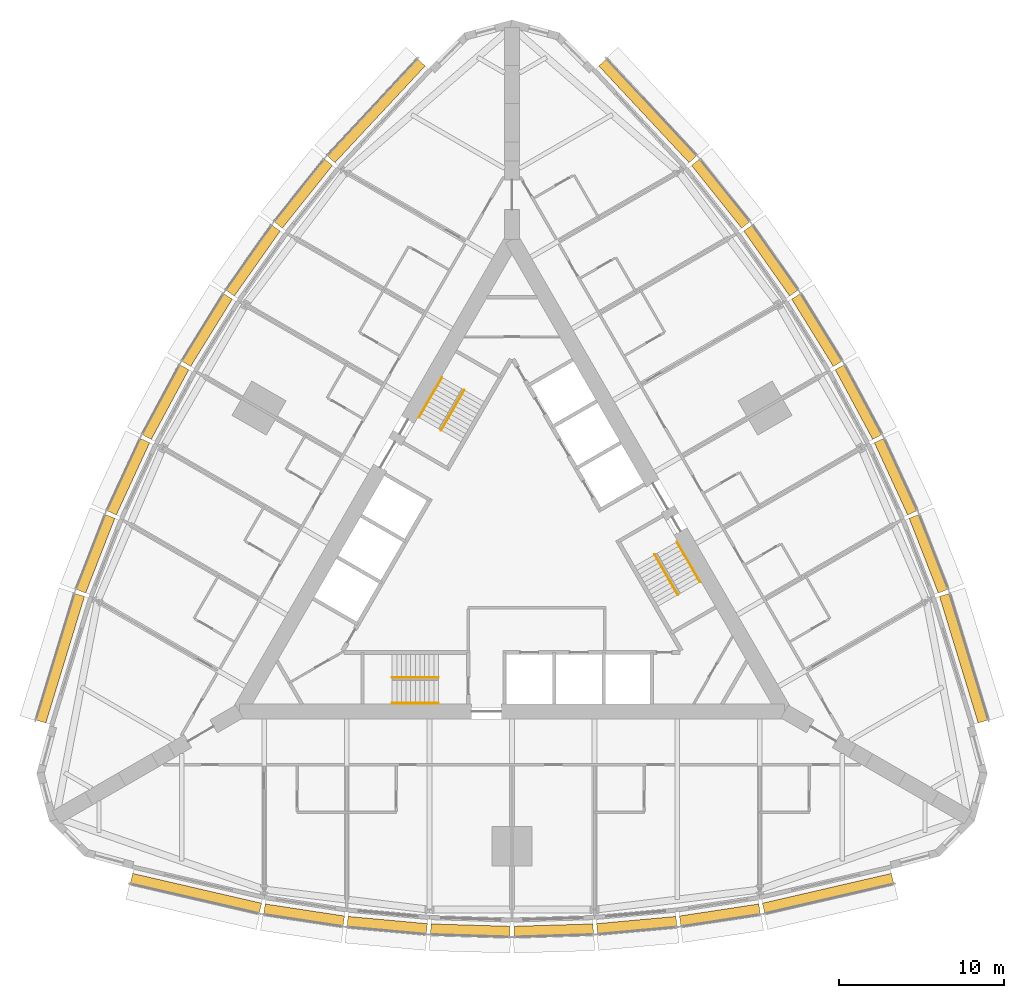
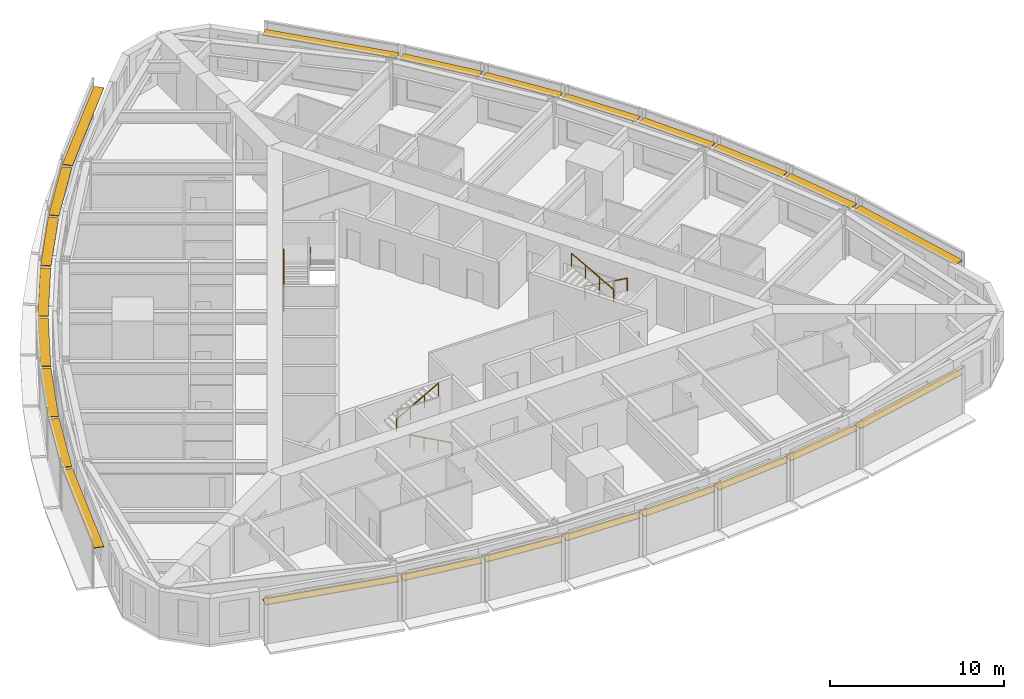
# One storey, part 14 of 14: 24 shading devices, 6 railings.
"""IFC4 building model written with IfcOpenShell, lengths in metres."""

from ifc_helpers import new_model, si_unit, direction, frame, origin, origin_2d, place, context, subcontext, project, spatial, rectangle, circle, extrude, material, type_object, element, save


model = new_model("IFC4")

# Units and contexts
model_context = context("Model", 3, precision=1e-05, world=origin(), true_north=direction((0.0, 1.0)))
body_context = subcontext(model_context, "Body", "Model", "MODEL_VIEW")
ifc_project = project(units=[si_unit("LENGTHUNIT", "METRE"), si_unit("AREAUNIT", "SQUARE_METRE"), si_unit("VOLUMEUNIT", "CUBIC_METRE"), si_unit("PLANEANGLEUNIT", "RADIAN"), si_unit("MASSUNIT", "GRAM", prefix="KILO")], contexts=[model_context])

# Site, building, storey
site_placement = place(None, origin())
site = spatial("IfcSite", under=ifc_project, at=site_placement, CompositionType="ELEMENT")
building_placement = place(site_placement, origin())
building = spatial("IfcBuilding", under=site, at=building_placement, Name="Trikona Tower", CompositionType="ELEMENT")
storey_placement = place(building_placement, frame((0.0, 0.0, 52.300048828125)))
storey = spatial("IfcBuildingStorey", under=building, at=storey_placement, Name="L12", CompositionType="ELEMENT", Elevation=52.300048828125)

# Shading devices
ifc_material_1 = material(Name="Aluminium louvre blade, pale anodised", Category="aluminium")
shading_device_type = type_object("IfcShadingDeviceType", Name="Cavity louvre 600", PredefinedType="USERDEFINED", material=ifc_material_1)
shading_device_1_placement = place(storey_placement, frame((-19.126220703125, -20.5234375, 2.77490234375), z_axis=(0.0, 0.0, 1.0), x_axis=(0.974277718622, -0.225350675607, 0.0)))
element("IfcShadingDevice", 1, at=shading_device_1_placement, inside=storey, type_object=shading_device_type, Name="Cavity louvre L12-00", ObjectType="LOUVRE", PredefinedType="USERDEFINED", context=body_context, shape_type="SweptSolid", body=[
    extrude(rectangle(XDim=8.01123046875, YDim=0.60009765625, at=origin_2d()), origin(), (0.0, 0.0, 1.0), 0.050048828125),
])
shading_device_2_placement = place(storey_placement, frame((-12.584228515625, -21.837158203125, 2.77490234375), z_axis=(0.0, 0.0, 1.0), x_axis=(0.988617896768, -0.150448177754, 0.0)))
element("IfcShadingDevice", 2, at=shading_device_2_placement, inside=storey, type_object=shading_device_type, Name="Cavity louvre L12-01", ObjectType="LOUVRE", PredefinedType="USERDEFINED", context=body_context, shape_type="SweptSolid", body=[
    extrude(rectangle(XDim=4.857666015625, YDim=0.60009765625, at=origin_2d()), origin(), (0.0, 0.0, 1.0), 0.050048828125),
])
shading_device_3_placement = place(storey_placement, frame((-7.55078125, -22.44970703125, 2.77490234375), z_axis=(0.0, 0.0, 1.0), x_axis=(0.995858098326, -0.090921108655, 0.0)))
element("IfcShadingDevice", 3, at=shading_device_3_placement, inside=storey, type_object=shading_device_type, Name="Cavity louvre L12-02", ObjectType="LOUVRE", PredefinedType="USERDEFINED", context=body_context, shape_type="SweptSolid", body=[
    extrude(rectangle(XDim=4.82080078125, YDim=0.60009765625, at=origin_2d()), origin(), (0.0, 0.0, 1.0), 0.050048828125),
])
for number, where, z_axis, x_axis, name in (
    (4, (-2.51708984375, -22.756103515625, 2.77490234375), (0.0, 0.0, 1.0), (0.999537048889, -0.030425119525, 0.0), "Cavity louvre L12-03"),
    (5, (2.51708984375, -22.756103515625, 2.77490234375), (0.0, 0.0, 1.0), (0.999537048889, 0.030425119525, 0.0), "Cavity louvre L12-04"),
):
    element("IfcShadingDevice", number, at=place(storey_placement, frame(where, z_axis=z_axis, x_axis=x_axis)), inside=storey, type_object=shading_device_type, Name=name, ObjectType="LOUVRE", PredefinedType="USERDEFINED", context=body_context, shape_type="SweptSolid", body=[
        extrude(rectangle(XDim=4.80224609375, YDim=0.60009765625, at=origin_2d()), origin(), (0.0, 0.0, 1.0), 0.050048828125),
    ])
shading_device_4_placement = place(storey_placement, frame((7.55078125, -22.44970703125, 2.77490234375), z_axis=(0.0, 0.0, 1.0), x_axis=(0.995858098326, 0.090921108655, 0.0)))
element("IfcShadingDevice", 6, at=shading_device_4_placement, inside=storey, type_object=shading_device_type, Name="Cavity louvre L12-05", ObjectType="LOUVRE", PredefinedType="USERDEFINED", context=body_context, shape_type="SweptSolid", body=[
    extrude(rectangle(XDim=4.82080078125, YDim=0.60009765625, at=origin_2d()), origin(), (0.0, 0.0, 1.0), 0.050048828125),
])
shading_device_5_placement = place(storey_placement, frame((12.584228515625, -21.837158203125, 2.77490234375), z_axis=(0.0, 0.0, 1.0), x_axis=(0.988617896768, 0.150448177754, 0.0)))
element("IfcShadingDevice", 7, at=shading_device_5_placement, inside=storey, type_object=shading_device_type, Name="Cavity louvre L12-06", ObjectType="LOUVRE", PredefinedType="USERDEFINED", context=body_context, shape_type="SweptSolid", body=[
    extrude(rectangle(XDim=4.857666015625, YDim=0.60009765625, at=origin_2d()), origin(), (0.0, 0.0, 1.0), 0.050048828125),
])
for number, where, z_axis, x_axis, name in (
    (8, (19.126220703125, -20.5234375, 2.77490234375), (0.0, 0.0, 1.0), (0.974277718622, 0.225350675607, 0.0), "Cavity louvre L12-07"),
    (9, (27.3369140625, -6.302001953125, 2.77490234375), (0.0, 0.0, 1.0), (-0.291979449475, 0.956424592471, 0.0), "Cavity louvre L12-12"),
):
    element("IfcShadingDevice", number, at=place(storey_placement, frame(where, z_axis=z_axis, x_axis=x_axis)), inside=storey, type_object=shading_device_type, Name=name, ObjectType="LOUVRE", PredefinedType="USERDEFINED", context=body_context, shape_type="SweptSolid", body=[
        extrude(rectangle(XDim=8.01123046875, YDim=0.60009765625, at=origin_2d()), origin(), (0.0, 0.0, 1.0), 0.050048828125),
    ])
shading_device_6_placement = place(storey_placement, frame((25.20361328125, 0.020263671875, 2.77490234375), z_axis=(0.0, 0.0, 1.0), x_axis=(-0.364008876551, 0.931395478726, 0.0)))
element("IfcShadingDevice", 10, at=shading_device_6_placement, inside=storey, type_object=shading_device_type, Name="Cavity louvre L12-13", ObjectType="LOUVRE", PredefinedType="USERDEFINED", context=body_context, shape_type="SweptSolid", body=[
    extrude(rectangle(XDim=4.857666015625, YDim=0.60009765625, at=origin_2d()), origin(), (0.0, 0.0, 1.0), 0.050048828125),
])
shading_device_7_placement = place(storey_placement, frame((23.217529296875, 4.685546875, 2.77490234375), z_axis=(0.0, 0.0, 1.0), x_axis=(-0.41919381307, 0.907896771161, 0.0)))
element("IfcShadingDevice", 11, at=shading_device_7_placement, inside=storey, type_object=shading_device_type, Name="Cavity louvre L12-14", ObjectType="LOUVRE", PredefinedType="USERDEFINED", context=body_context, shape_type="SweptSolid", body=[
    extrude(rectangle(XDim=4.82080078125, YDim=0.60009765625, at=origin_2d()), origin(), (0.0, 0.0, 1.0), 0.050048828125),
])
for number, where, z_axis, x_axis, name in (
    (12, (20.966064453125, 9.1982421875, 2.77490234375), (0.0, 0.0, 1.0), (-0.473422672721, 0.880835383572, 0.0), "Cavity louvre L12-15"),
    (13, (18.448974609375, 13.557861328125, 2.77490234375), (0.0, 0.0, 1.0), (-0.526118935114, 0.85041099835, 0.0), "Cavity louvre L12-16"),
):
    element("IfcShadingDevice", number, at=place(storey_placement, frame(where, z_axis=z_axis, x_axis=x_axis)), inside=storey, type_object=shading_device_type, Name=name, ObjectType="LOUVRE", PredefinedType="USERDEFINED", context=body_context, shape_type="SweptSolid", body=[
        extrude(rectangle(XDim=4.80224609375, YDim=0.60009765625, at=origin_2d()), origin(), (0.0, 0.0, 1.0), 0.050048828125),
    ])
shading_device_8_placement = place(storey_placement, frame((15.666748046875, 17.76416015625, 2.77490234375), z_axis=(0.0, 0.0, 1.0), x_axis=(-0.576661909499, 0.816982889743, 0.0)))
element("IfcShadingDevice", 14, at=shading_device_8_placement, inside=storey, type_object=shading_device_type, Name="Cavity louvre L12-17", ObjectType="LOUVRE", PredefinedType="USERDEFINED", context=body_context, shape_type="SweptSolid", body=[
    extrude(rectangle(XDim=4.82080078125, YDim=0.60009765625, at=origin_2d()), origin(), (0.0, 0.0, 1.0), 0.050048828125),
])
shading_device_9_placement = place(storey_placement, frame((12.619384765625, 21.81689453125, 2.77490234375), z_axis=(0.0, 0.0, 1.0), x_axis=(-0.624603618277, 0.780941944087, 0.0)))
element("IfcShadingDevice", 15, at=shading_device_9_placement, inside=storey, type_object=shading_device_type, Name="Cavity louvre L12-18", ObjectType="LOUVRE", PredefinedType="USERDEFINED", context=body_context, shape_type="SweptSolid", body=[
    extrude(rectangle(XDim=4.857666015625, YDim=0.60009765625, at=origin_2d()), origin(), (0.0, 0.0, 1.0), 0.050048828125),
])
for number, where, z_axis, x_axis, name in (
    (16, (8.210693359375, 26.825439453125, 2.77490234375), (0.0, 0.0, 1.0), (-0.682298269147, 0.731073916864, 0.0), "Cavity louvre L12-19"),
    (17, (-8.210693359375, 26.825439453125, 2.77490234375), (0.0, 0.0, 1.0), (-0.682298269147, -0.731073916864, 0.0), "Cavity louvre L12-24"),
):
    element("IfcShadingDevice", number, at=place(storey_placement, frame(where, z_axis=z_axis, x_axis=x_axis)), inside=storey, type_object=shading_device_type, Name=name, ObjectType="LOUVRE", PredefinedType="USERDEFINED", context=body_context, shape_type="SweptSolid", body=[
        extrude(rectangle(XDim=8.01123046875, YDim=0.60009765625, at=origin_2d()), origin(), (0.0, 0.0, 1.0), 0.050048828125),
    ])
shading_device_10_placement = place(storey_placement, frame((-12.619384765625, 21.81689453125, 2.77490234375), z_axis=(0.0, 0.0, 1.0), x_axis=(-0.624603618277, -0.780941944087, 0.0)))
element("IfcShadingDevice", 18, at=shading_device_10_placement, inside=storey, type_object=shading_device_type, Name="Cavity louvre L12-25", ObjectType="LOUVRE", PredefinedType="USERDEFINED", context=body_context, shape_type="SweptSolid", body=[
    extrude(rectangle(XDim=4.857666015625, YDim=0.60009765625, at=origin_2d()), origin(), (0.0, 0.0, 1.0), 0.050048828125),
])
shading_device_11_placement = place(storey_placement, frame((-15.666748046875, 17.76416015625, 2.77490234375), z_axis=(0.0, 0.0, 1.0), x_axis=(-0.576661909499, -0.816982889743, 0.0)))
element("IfcShadingDevice", 19, at=shading_device_11_placement, inside=storey, type_object=shading_device_type, Name="Cavity louvre L12-26", ObjectType="LOUVRE", PredefinedType="USERDEFINED", context=body_context, shape_type="SweptSolid", body=[
    extrude(rectangle(XDim=4.82080078125, YDim=0.60009765625, at=origin_2d()), origin(), (0.0, 0.0, 1.0), 0.050048828125),
])
for number, where, z_axis, x_axis, name in (
    (20, (-18.448974609375, 13.557861328125, 2.77490234375), (0.0, 0.0, 1.0), (-0.526118935114, -0.85041099835, 0.0), "Cavity louvre L12-27"),
    (21, (-20.966064453125, 9.1982421875, 2.77490234375), (0.0, 0.0, 1.0), (-0.473422672721, -0.880835383572, 0.0), "Cavity louvre L12-28"),
):
    element("IfcShadingDevice", number, at=place(storey_placement, frame(where, z_axis=z_axis, x_axis=x_axis)), inside=storey, type_object=shading_device_type, Name=name, ObjectType="LOUVRE", PredefinedType="USERDEFINED", context=body_context, shape_type="SweptSolid", body=[
        extrude(rectangle(XDim=4.80224609375, YDim=0.60009765625, at=origin_2d()), origin(), (0.0, 0.0, 1.0), 0.050048828125),
    ])
shading_device_12_placement = place(storey_placement, frame((-23.217529296875, 4.685546875, 2.77490234375), z_axis=(0.0, 0.0, 1.0), x_axis=(-0.41919381307, -0.907896771161, 0.0)))
element("IfcShadingDevice", 22, at=shading_device_12_placement, inside=storey, type_object=shading_device_type, Name="Cavity louvre L12-29", ObjectType="LOUVRE", PredefinedType="USERDEFINED", context=body_context, shape_type="SweptSolid", body=[
    extrude(rectangle(XDim=4.82080078125, YDim=0.60009765625, at=origin_2d()), origin(), (0.0, 0.0, 1.0), 0.050048828125),
])
shading_device_13_placement = place(storey_placement, frame((-25.20361328125, 0.020263671875, 2.77490234375), z_axis=(0.0, 0.0, 1.0), x_axis=(-0.364008876551, -0.931395478726, 0.0)))
element("IfcShadingDevice", 23, at=shading_device_13_placement, inside=storey, type_object=shading_device_type, Name="Cavity louvre L12-30", ObjectType="LOUVRE", PredefinedType="USERDEFINED", context=body_context, shape_type="SweptSolid", body=[
    extrude(rectangle(XDim=4.857666015625, YDim=0.60009765625, at=origin_2d()), origin(), (0.0, 0.0, 1.0), 0.050048828125),
])
shading_device_14_placement = place(storey_placement, frame((-27.3369140625, -6.302001953125, 2.77490234375), z_axis=(0.0, 0.0, 1.0), x_axis=(-0.291979449475, -0.956424592471, 0.0)))
element("IfcShadingDevice", 24, at=shading_device_14_placement, inside=storey, type_object=shading_device_type, Name="Cavity louvre L12-31", ObjectType="LOUVRE", PredefinedType="USERDEFINED", context=body_context, shape_type="SweptSolid", body=[
    extrude(rectangle(XDim=8.01123046875, YDim=0.60009765625, at=origin_2d()), origin(), (0.0, 0.0, 1.0), 0.050048828125),
])

# Railings
ifc_material_2 = material(Name="Stainless steel handrail", Category="steel")
railing_type = type_object("IfcRailingType", Name="Stair handrail", PredefinedType="HANDRAIL", material=ifc_material_2)
railing_1_placement = place(storey_placement, frame((-4.449951171875, -9.016357421875, 0.154541015625)))
element("IfcRailing", 25, at=railing_1_placement, inside=storey, type_object=railing_type, Name="Stair handrail A L12 1", PredefinedType="HANDRAIL", context=body_context, shape_type="SweptSolid", body=[
    extrude(circle(Radius=0.02392578125, at=origin_2d()), frame((0.0, 0.0, 0.8759765625), z_axis=(-0.875504190374, 0.0, 0.483210526207), x_axis=(0.0, -1.0, 0.0)), (0.0, 0.0, 1.0), 3.1982421875),
    extrude(circle(Radius=0.02099609375, at=origin_2d()), origin(), (0.0, 0.0, 1.0), 0.851806640625),
    extrude(circle(Radius=0.02099609375, at=origin_2d()), frame((-0.933349609375, 0.0, 0.51513671875)), (0.0, 0.0, 1.0), 0.851806640625),
    extrude(circle(Radius=0.02099609375, at=origin_2d()), frame((-1.86669921875, 0.0, 1.0302734375)), (0.0, 0.0, 1.0), 0.851806640625),
    extrude(circle(Radius=0.02099609375, at=origin_2d()), frame((-2.800048828125, 0.0, 1.54541015625)), (0.0, 0.0, 1.0), 0.851806640625),
])
railing_2_placement = place(storey_placement, frame((-7.25, -7.46630859375, 1.8544921875)))
element("IfcRailing", 26, at=railing_2_placement, inside=storey, type_object=railing_type, Name="Stair handrail A L12 2", PredefinedType="HANDRAIL", context=body_context, shape_type="SweptSolid", body=[
    extrude(circle(Radius=0.02392578125, at=origin_2d()), frame((0.0, 0.0, 0.8759765625), z_axis=(0.875504190374, 0.0, 0.483210526207), x_axis=(0.0, 1.0, 0.0)), (0.0, 0.0, 1.0), 3.1982421875),
    extrude(circle(Radius=0.02099609375, at=origin_2d()), origin(), (0.0, 0.0, 1.0), 0.851806640625),
    extrude(circle(Radius=0.02099609375, at=origin_2d()), frame((0.933349609375, 0.0, 0.51513671875)), (0.0, 0.0, 1.0), 0.851806640625),
    extrude(circle(Radius=0.02099609375, at=origin_2d()), frame((1.86669921875, 0.0, 1.0302734375)), (0.0, 0.0, 1.0), 0.851806640625),
    extrude(circle(Radius=0.02099609375, at=origin_2d()), frame((2.800048828125, 0.0, 1.54541015625)), (0.0, 0.0, 1.0), 0.851806640625),
])
railing_3_placement = place(storey_placement, frame((9.9833984375, 0.740966796875, 0.154541015625)))
element("IfcRailing", 27, at=railing_3_placement, inside=storey, type_object=railing_type, Name="Stair handrail B L12 1", PredefinedType="HANDRAIL", context=body_context, shape_type="SweptSolid", body=[
    extrude(circle(Radius=0.02392578125, at=origin_2d()), frame((0.0, 0.0, 0.8759765625), z_axis=(0.437707188162, -0.758239536103, 0.483203087036), x_axis=(0.866056369097, 0.49994636267, 0.0)), (0.0, 0.0, 1.0), 3.1982421875),
    extrude(circle(Radius=0.02099609375, at=origin_2d()), origin(), (0.0, 0.0, 1.0), 0.851806640625),
    extrude(circle(Radius=0.02099609375, at=origin_2d()), frame((0.466552734375, -0.808349609375, 0.51513671875)), (0.0, 0.0, 1.0), 0.851806640625),
    extrude(circle(Radius=0.02099609375, at=origin_2d()), frame((0.933349609375, -1.61669921875, 1.0302734375)), (0.0, 0.0, 1.0), 0.851806640625),
    extrude(circle(Radius=0.02099609375, at=origin_2d()), frame((1.39990234375, -2.425048828125, 1.54541015625)), (0.0, 0.0, 1.0), 0.851806640625),
])
railing_4_placement = place(storey_placement, frame((10.041015625, -2.458984375, 1.8544921875)))
element("IfcRailing", 28, at=railing_4_placement, inside=storey, type_object=railing_type, Name="Stair handrail B L12 2", PredefinedType="HANDRAIL", context=body_context, shape_type="SweptSolid", body=[
    extrude(circle(Radius=0.02392578125, at=origin_2d()), frame((0.0, 0.0, 0.8759765625), z_axis=(-0.437707188162, 0.758239536103, 0.483203087036), x_axis=(-0.866056369097, -0.49994636267, 0.0)), (0.0, 0.0, 1.0), 3.1982421875),
    extrude(circle(Radius=0.02099609375, at=origin_2d()), origin(), (0.0, 0.0, 1.0), 0.851806640625),
    extrude(circle(Radius=0.02099609375, at=origin_2d()), frame((-0.466552734375, 0.808349609375, 0.51513671875)), (0.0, 0.0, 1.0), 0.851806640625),
    extrude(circle(Radius=0.02099609375, at=origin_2d()), frame((-0.933349609375, 1.61669921875, 1.0302734375)), (0.0, 0.0, 1.0), 0.851806640625),
    extrude(circle(Radius=0.02099609375, at=origin_2d()), frame((-1.39990234375, 2.425048828125, 1.54541015625)), (0.0, 0.0, 1.0), 0.851806640625),
])
railing_5_placement = place(storey_placement, frame((-5.63330078125, 8.275390625, 0.154541015625)))
element("IfcRailing", 29, at=railing_5_placement, inside=storey, type_object=railing_type, Name="Stair handrail C L12 1", PredefinedType="HANDRAIL", context=body_context, shape_type="SweptSolid", body=[
    extrude(circle(Radius=0.02392578125, at=origin_2d()), frame((0.0, 0.0, 0.8759765625), z_axis=(0.437732523806, 0.758207085183, 0.483231056102), x_axis=(-0.866034573852, 0.49998411664, 0.0)), (0.0, 0.0, 1.0), 3.197998046875),
    extrude(circle(Radius=0.02099609375, at=origin_2d()), origin(), (0.0, 0.0, 1.0), 0.851806640625),
    extrude(circle(Radius=0.02099609375, at=origin_2d()), frame((0.466552734375, 0.808349609375, 0.51513671875)), (0.0, 0.0, 1.0), 0.851806640625),
    extrude(circle(Radius=0.02099609375, at=origin_2d()), frame((0.933349609375, 1.616455078125, 1.0302734375)), (0.0, 0.0, 1.0), 0.851806640625),
    extrude(circle(Radius=0.02099609375, at=origin_2d()), frame((1.39990234375, 2.4248046875, 1.54541015625)), (0.0, 0.0, 1.0), 0.851806640625),
])
railing_6_placement = place(storey_placement, frame((-2.89111328125, 9.92529296875, 1.8544921875)))
element("IfcRailing", 30, at=railing_6_placement, inside=storey, type_object=railing_type, Name="Stair handrail C L12 2", PredefinedType="HANDRAIL", context=body_context, shape_type="SweptSolid", body=[
    extrude(circle(Radius=0.02392578125, at=origin_2d()), frame((0.0, 0.0, 0.8759765625), z_axis=(-0.437707188162, -0.758239536103, 0.483203087036), x_axis=(0.866056369097, -0.49994636267, 0.0)), (0.0, 0.0, 1.0), 3.1982421875),
    extrude(circle(Radius=0.02099609375, at=origin_2d()), origin(), (0.0, 0.0, 1.0), 0.851806640625),
    extrude(circle(Radius=0.02099609375, at=origin_2d()), frame((-0.466552734375, -0.808349609375, 0.51513671875)), (0.0, 0.0, 1.0), 0.851806640625),
    extrude(circle(Radius=0.02099609375, at=origin_2d()), frame((-0.933349609375, -1.61669921875, 1.0302734375)), (0.0, 0.0, 1.0), 0.851806640625),
    extrude(circle(Radius=0.02099609375, at=origin_2d()), frame((-1.39990234375, -2.425048828125, 1.54541015625)), (0.0, 0.0, 1.0), 0.851806640625),
])

save(model, "model.ifc")
